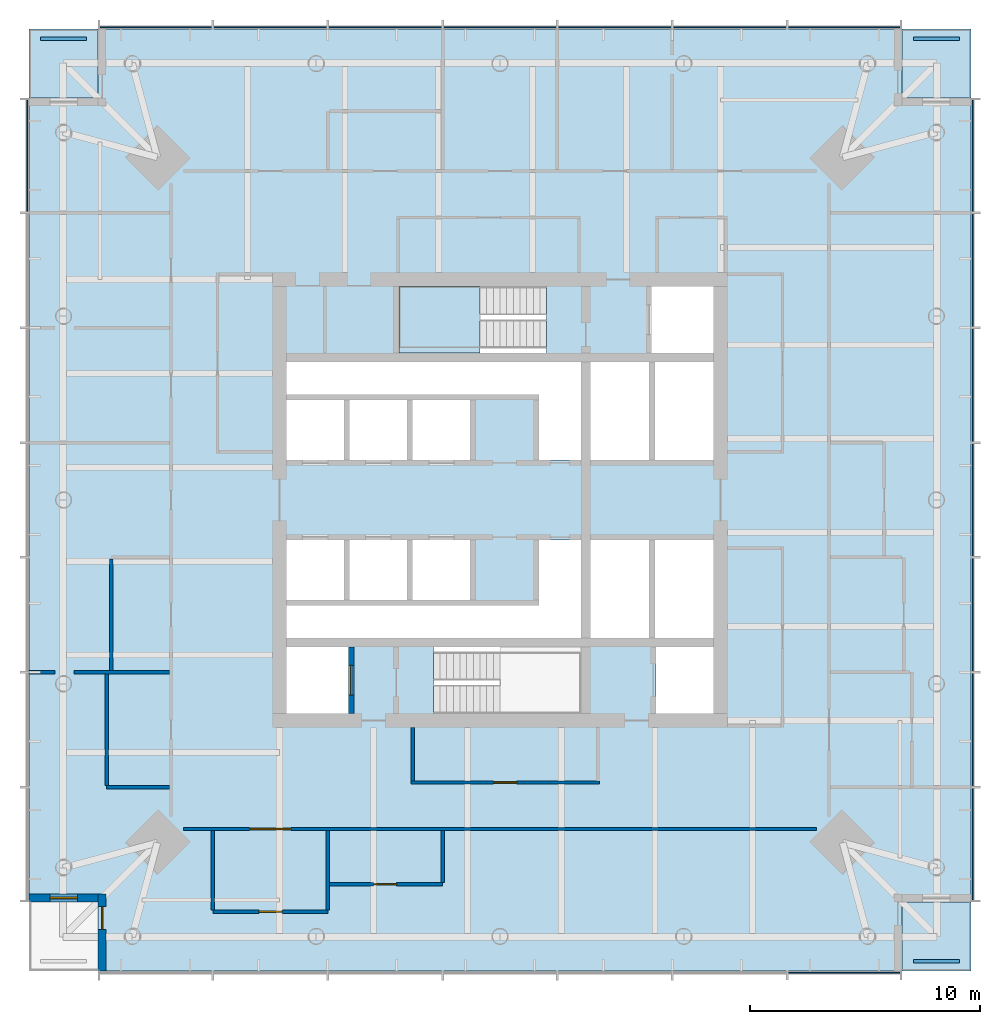
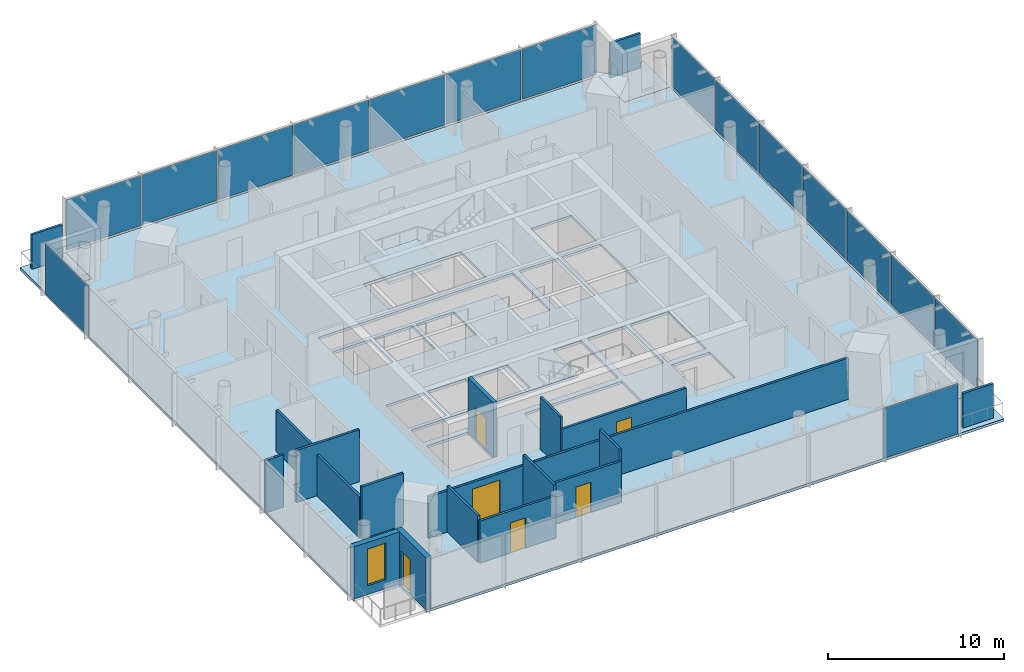
# One storey, part 4 of 9: 19 plates, 16 walls, 6 doors, 5 slabs, 1 window, 7 openings, 5 elements without a shape of their own.
"""IFC4 building model written with IfcOpenShell, lengths in metres."""

from ifc_helpers import new_model, si_unit, direction, frame, frame_2d, origin, origin_2d, place, context, subcontext, project, spatial, polyline, rectangle, outline, extrude, material, layer, layer_set, type_object, element, fill, aggregate, save


model = new_model("IFC4")

# Units and contexts
model_context = context("Model", 3, precision=1e-05, world=origin(), true_north=direction((0.0, 1.0)))
body_context = subcontext(model_context, "Body", "Model", "MODEL_VIEW")
ifc_project = project(units=[si_unit("LENGTHUNIT", "METRE"), si_unit("AREAUNIT", "SQUARE_METRE"), si_unit("VOLUMEUNIT", "CUBIC_METRE"), si_unit("PLANEANGLEUNIT", "RADIAN"), si_unit("MASSUNIT", "GRAM", prefix="KILO")], contexts=[model_context])

# Site, building, storey
site_placement = place(None, origin())
site = spatial("IfcSite", under=ifc_project, at=site_placement, CompositionType="ELEMENT")
building_placement = place(site_placement, origin())
building = spatial("IfcBuilding", under=site, at=building_placement, Name="Ostroluk Exchange", CompositionType="ELEMENT")
storey_placement = place(building_placement, frame((0.0, 0.0, 176.800048828125)))
storey = spatial("IfcBuildingStorey", under=building, at=storey_placement, Name="L45", CompositionType="ELEMENT", Elevation=176.800048828125)

# Slabs
ifc_material_1 = material(Name="Concrete C35/45", Category="concrete")
ifc_layer_1 = layer(ifc_material_1, 0.179931640625)
ifc_layer_set_1 = layer_set([ifc_layer_1], Name="Balcony slab 180")
slab_type_1 = type_object("IfcSlabType", Name="Balcony slab 180", PredefinedType="USERDEFINED", material=ifc_layer_set_1)
slab_1_placement = place(storey_placement, frame((0.0, 0.0, -0.179931640625)))
element("IfcSlab", 1, at=slab_1_placement, inside=storey, type_object=slab_type_1, Name="Office tower SE corner balcony L45", ObjectType="BALCONY", PredefinedType="USERDEFINED", context=body_context, shape_type="SweptSolid", body=[
    extrude(outline(polyline([(62.5, 25.5), (65.5, 25.5), (65.5, 28.5), (62.5, 28.5), (62.5, 25.5)])), origin(), (0.0, 0.0, 1.0), 0.179931640625),
])
slab_2_placement = place(storey_placement, frame((0.0, 0.0, -0.179931640625)))
element("IfcSlab", 2, at=slab_2_placement, inside=storey, type_object=slab_type_1, Name="Office tower NE corner balcony L45", ObjectType="BALCONY", PredefinedType="USERDEFINED", context=body_context, shape_type="SweptSolid", body=[
    extrude(outline(polyline([(62.5, 63.5), (65.5, 63.5), (65.5, 66.5), (62.5, 66.5), (62.5, 63.5)])), origin(), (0.0, 0.0, 1.0), 0.179931640625),
])
slab_3_placement = place(storey_placement, frame((0.0, 0.0, -0.179931640625)))
element("IfcSlab", 3, at=slab_3_placement, inside=storey, type_object=slab_type_1, Name="Office tower NW corner balcony L45", ObjectType="BALCONY", PredefinedType="USERDEFINED", context=body_context, shape_type="SweptSolid", body=[
    extrude(outline(polyline([(24.5, 63.5), (27.5, 63.5), (27.5, 66.5), (24.5, 66.5), (24.5, 63.5)])), origin(), (0.0, 0.0, 1.0), 0.179931640625),
])

# Plates
ifc_material_2 = material(Name="Steel S355 trellis with planting", Category="steel")
ifc_layer_2 = layer(ifc_material_2, 0.14990234375)
ifc_layer_set_2 = layer_set([ifc_layer_2], Name="Planted screen 150")
plate_type_1 = type_object("IfcPlateType", Name="Planted screen 150", PredefinedType="USERDEFINED", material=ifc_layer_set_2)
for number, where, z_axis, x_axis, name in (
    (4, (64.0, 25.925048828125, 0.0), (0.0, 0.0, 1.0), (1.0, 0.0, 0.0), "Office tower SE planted screen L45"),
    (5, (64.0, 66.074951171875, 0.0), (0.0, 0.0, 1.0), (1.0, 0.0, 0.0), "Office tower NE planted screen L45"),
    (6, (26.0, 66.074951171875, 0.0), (0.0, 0.0, 1.0), (1.0, 0.0, 0.0), "Office tower NW planted screen L45"),
):
    element("IfcPlate", number, at=place(storey_placement, frame(where, z_axis=z_axis, x_axis=x_axis)), inside=storey, type_object=plate_type_1, Name=name, ObjectType="PLANTED SCREEN", PredefinedType="USERDEFINED", context=body_context, shape_type="SweptSolid", body=[
        extrude(rectangle(XDim=2.0, YDim=0.14990234375, at=origin_2d()), origin(), (0.0, 0.0, 1.0), 2.39990234375),
    ])

# Stair, slab
ifc_material_3 = material(Name="Concrete C30/37", Category="concrete")
stair_type = type_object("IfcStairType", Name="Exit stair half turn 3800", PredefinedType="HALF_TURN_STAIR", material=ifc_material_3)
stair_placement = place(storey_placement, origin())
stair = element("IfcStair", 7, at=stair_placement, inside=storey, type_object=stair_type, Name="Stair T1-S2 L45", PredefinedType="HALF_TURN_STAIR")
ifc_material_4 = material(Name="Concrete C30/37", Category="concrete")
ifc_layer_3 = layer(ifc_material_4, 0.199951171875)
ifc_layer_set_3 = layer_set([ifc_layer_3], Name="Stair landing 200")
slab_type_2 = type_object("IfcSlabType", Name="Stair landing 200", PredefinedType="LANDING", material=ifc_layer_set_3)
slab_4_placement = place(storey_placement, frame((0.0, 0.0, 1.699951171875)))
slab_4 = element("IfcSlab", 8, at=slab_4_placement, type_object=slab_type_2, Name="T1-S2 landing 1", PredefinedType="LANDING", context=body_context, shape_type="SweptSolid", body=[
    extrude(outline(polyline([(44.1298828125, 52.39990234375), (44.1298828125, 55.300048828125), (40.60009765625, 55.300048828125), (40.60009765625, 52.39990234375), (44.1298828125, 52.39990234375)])), origin(), (0.0, 0.0, 1.0), 0.199951171875),
])
aggregate(stair, [slab_4])

# Slab
ifc_material_5 = material(Name="Concrete C35/45", Category="concrete")
ifc_layer_4 = layer(ifc_material_5, 0.179931640625)
ifc_layer_set_4 = layer_set([ifc_layer_4], Name="Tower floor slab 180 composite")
slab_type_3 = type_object("IfcSlabType", Name="Tower floor slab 180 composite", PredefinedType="FLOOR", material=ifc_layer_set_4)
slab_5_placement = place(storey_placement, frame((0.0, 0.0, -0.179931640625)))
element("IfcSlab", 9, at=slab_5_placement, inside=storey, type_object=slab_type_3, Name="Office tower floor slab L45", PredefinedType="FLOOR", context=body_context, shape_type="SweptSolid", body=[
    extrude(outline(polyline([(27.5, 25.5), (62.5, 25.5), (62.5, 28.5), (65.5, 28.5), (65.5, 63.5), (62.5, 63.5), (62.5, 66.5), (27.5, 66.5), (27.5, 63.5), (24.5, 63.5), (24.5, 28.5), (27.5, 28.5), (27.5, 25.5)]), holes=[polyline([(35.699951171875, 36.699951171875), (38.39990234375, 36.699951171875), (38.39990234375, 39.60009765625), (35.699951171875, 39.60009765625), (35.699951171875, 36.699951171875)]), polyline([(42.110107421875, 36.699951171875), (48.530029296875, 36.699951171875), (48.530029296875, 39.60009765625), (42.110107421875, 39.60009765625), (42.110107421875, 36.699951171875)]), polyline([(51.800048828125, 36.699951171875), (54.300048828125, 36.699951171875), (54.300048828125, 39.60009765625), (51.800048828125, 39.60009765625), (51.800048828125, 36.699951171875)]), polyline([(40.60009765625, 52.39990234375), (47.02001953125, 52.39990234375), (47.02001953125, 55.300048828125), (40.60009765625, 55.300048828125), (40.60009765625, 52.39990234375)]), polyline([(51.60009765625, 52.39990234375), (54.300048828125, 52.39990234375), (54.300048828125, 55.300048828125), (51.60009765625, 55.300048828125), (51.60009765625, 52.39990234375)]), polyline([(35.699951171875, 47.75), (38.199951171875, 47.75), (38.199951171875, 50.35009765625), (35.699951171875, 50.35009765625), (35.699951171875, 47.75)]), polyline([(38.449951171875, 47.75), (40.949951171875, 47.75), (40.949951171875, 50.35009765625), (38.449951171875, 50.35009765625), (38.449951171875, 47.75)]), polyline([(41.199951171875, 47.75), (43.699951171875, 47.75), (43.699951171875, 50.35009765625), (41.199951171875, 50.35009765625), (41.199951171875, 47.75)]), polyline([(35.699951171875, 41.64990234375), (38.199951171875, 41.64990234375), (38.199951171875, 44.25), (35.699951171875, 44.25), (35.699951171875, 41.64990234375)]), polyline([(38.449951171875, 41.64990234375), (40.949951171875, 41.64990234375), (40.949951171875, 44.25), (38.449951171875, 44.25), (38.449951171875, 41.64990234375)]), polyline([(41.199951171875, 41.64990234375), (43.699951171875, 41.64990234375), (43.699951171875, 44.25), (41.199951171875, 44.25), (41.199951171875, 41.64990234375)]), polyline([(48.929931640625, 47.75), (51.489990234375, 47.75), (51.489990234375, 52.0), (48.929931640625, 52.0), (48.929931640625, 47.75)]), polyline([(51.739990234375, 47.75), (54.300048828125, 47.75), (54.300048828125, 52.0), (51.739990234375, 52.0), (51.739990234375, 47.75)]), polyline([(48.929931640625, 40.0), (51.489990234375, 40.0), (51.489990234375, 44.25), (48.929931640625, 44.25), (48.929931640625, 40.0)]), polyline([(51.739990234375, 40.0), (54.300048828125, 40.0), (54.300048828125, 44.25), (51.739990234375, 44.25), (51.739990234375, 40.0)]), polyline([(48.530029296875, 52.0), (48.530029296875, 47.75), (46.699951171875, 47.75), (46.699951171875, 50.60009765625), (35.699951171875, 50.60009765625), (35.699951171875, 52.0), (48.530029296875, 52.0)]), polyline([(35.699951171875, 40.0), (35.699951171875, 41.39990234375), (46.699951171875, 41.39990234375), (46.699951171875, 44.25), (48.530029296875, 44.25), (48.530029296875, 40.0), (35.699951171875, 40.0)])]), origin(), (0.0, 0.0, 1.0), 0.179931640625),
])

# Curtain wall, plate
ifc_material_6 = material(Name="Laminated clear glass", Category="glass")
curtain_wall_type = type_object("IfcCurtainWallType", Name="Office tower facade", PredefinedType="USERDEFINED", material=ifc_material_6)
curtain_wall_1_placement = place(storey_placement, origin())
curtain_wall_1 = element("IfcCurtainWall", 10, at=curtain_wall_1_placement, inside=storey, type_object=curtain_wall_type, Name="Office tower south facade L45", ObjectType="UNITISED CURTAIN WALL", PredefinedType="USERDEFINED")
ifc_material_7 = material(Name="Laminated clear glass", Category="glass")
ifc_layer_5 = layer(ifc_material_7, 0.0439453125)
ifc_layer_set_5 = layer_set([ifc_layer_5], Name="Triple laminated clear glazing 44")
plate_type_2 = type_object("IfcPlateType", Name="Triple laminated clear glazing 44", PredefinedType="CURTAIN_PANEL", material=ifc_layer_set_5)
plate_1_placement = place(storey_placement, frame((59.97998046875, 25.425048828125, 0.080078125), z_axis=(0.0, 0.0, 1.0), x_axis=(1.0, 0.0, 0.0)))
plate_1 = element("IfcPlate", 11, at=plate_1_placement, type_object=plate_type_2, Name="CW-O1 panel 7.1", PredefinedType="CURTAIN_PANEL", context=body_context, shape_type="SweptSolid", body=[
    extrude(rectangle(XDim=4.8798828125, YDim=0.0439453125, at=origin_2d()), origin(), (0.0, 0.0, 1.0), 3.489990234375),
])
aggregate(curtain_wall_1, [plate_1])

# Curtain wall, plates
curtain_wall_2_placement = place(storey_placement, origin())
curtain_wall_2 = element("IfcCurtainWall", 12, at=curtain_wall_2_placement, inside=storey, type_object=curtain_wall_type, Name="Office tower east facade L45", ObjectType="UNITISED CURTAIN WALL", PredefinedType="USERDEFINED")
plate_2_placement = place(storey_placement, frame((65.574951171875, 31.02001953125, 0.080078125), z_axis=(0.0, 0.0, 1.0), x_axis=(0.0, 1.0, 0.0)))
plate_2 = element("IfcPlate", 13, at=plate_2_placement, type_object=plate_type_2, Name="CW-O1 panel 1.1", PredefinedType="CURTAIN_PANEL", context=body_context, shape_type="SweptSolid", body=[
    extrude(rectangle(XDim=4.8798828125, YDim=0.0439453125, at=origin_2d()), origin(), (0.0, 0.0, 1.0), 3.489990234375),
])
plate_3_placement = place(storey_placement, frame((65.574951171875, 36.0, 0.080078125), z_axis=(0.0, 0.0, 1.0), x_axis=(0.0, 1.0, 0.0)))
plate_3 = element("IfcPlate", 14, at=plate_3_placement, type_object=plate_type_2, Name="CW-O1 panel 2.1", PredefinedType="CURTAIN_PANEL", context=body_context, shape_type="SweptSolid", body=[
    extrude(rectangle(XDim=4.919921875, YDim=0.0439453125, at=origin_2d()), origin(), (0.0, 0.0, 1.0), 3.489990234375),
])
plate_4_placement = place(storey_placement, frame((65.574951171875, 41.0, 0.080078125), z_axis=(0.0, 0.0, 1.0), x_axis=(0.0, 1.0, 0.0)))
plate_4 = element("IfcPlate", 15, at=plate_4_placement, type_object=plate_type_2, Name="CW-O1 panel 3.1", PredefinedType="CURTAIN_PANEL", context=body_context, shape_type="SweptSolid", body=[
    extrude(rectangle(XDim=4.919921875, YDim=0.0439453125, at=origin_2d()), origin(), (0.0, 0.0, 1.0), 3.489990234375),
])
plate_5_placement = place(storey_placement, frame((65.574951171875, 46.0, 0.080078125), z_axis=(0.0, 0.0, 1.0), x_axis=(0.0, 1.0, 0.0)))
plate_5 = element("IfcPlate", 16, at=plate_5_placement, type_object=plate_type_2, Name="CW-O1 panel 4.1", PredefinedType="CURTAIN_PANEL", context=body_context, shape_type="SweptSolid", body=[
    extrude(rectangle(XDim=4.919921875, YDim=0.0439453125, at=origin_2d()), origin(), (0.0, 0.0, 1.0), 3.489990234375),
])
plate_6_placement = place(storey_placement, frame((65.574951171875, 51.0, 0.080078125), z_axis=(0.0, 0.0, 1.0), x_axis=(0.0, 1.0, 0.0)))
plate_6 = element("IfcPlate", 17, at=plate_6_placement, type_object=plate_type_2, Name="CW-O1 panel 5.1", PredefinedType="CURTAIN_PANEL", context=body_context, shape_type="SweptSolid", body=[
    extrude(rectangle(XDim=4.919921875, YDim=0.0439453125, at=origin_2d()), origin(), (0.0, 0.0, 1.0), 3.489990234375),
])
plate_7_placement = place(storey_placement, frame((65.574951171875, 56.0, 0.080078125), z_axis=(0.0, 0.0, 1.0), x_axis=(0.0, 1.0, 0.0)))
plate_7 = element("IfcPlate", 18, at=plate_7_placement, type_object=plate_type_2, Name="CW-O1 panel 6.1", PredefinedType="CURTAIN_PANEL", context=body_context, shape_type="SweptSolid", body=[
    extrude(rectangle(XDim=4.919921875, YDim=0.0439453125, at=origin_2d()), origin(), (0.0, 0.0, 1.0), 3.489990234375),
])
plate_8_placement = place(storey_placement, frame((65.574951171875, 60.97998046875, 0.080078125), z_axis=(0.0, 0.0, 1.0), x_axis=(0.0, 1.0, 0.0)))
plate_8 = element("IfcPlate", 19, at=plate_8_placement, type_object=plate_type_2, Name="CW-O1 panel 7.1", PredefinedType="CURTAIN_PANEL", context=body_context, shape_type="SweptSolid", body=[
    extrude(rectangle(XDim=4.8798828125, YDim=0.0439453125, at=origin_2d()), origin(), (0.0, 0.0, 1.0), 3.489990234375),
])
aggregate(curtain_wall_2, [plate_2, plate_3, plate_4, plate_5, plate_6, plate_7, plate_8])

curtain_wall_3_placement = place(storey_placement, origin())
curtain_wall_3 = element("IfcCurtainWall", 20, at=curtain_wall_3_placement, inside=storey, type_object=curtain_wall_type, Name="Office tower north facade L45", ObjectType="UNITISED CURTAIN WALL", PredefinedType="USERDEFINED")
plate_9_placement = place(storey_placement, frame((59.97998046875, 66.574951171875, 0.080078125), z_axis=(0.0, 0.0, 1.0), x_axis=(-1.0, 0.0, 0.0)))
plate_9 = element("IfcPlate", 21, at=plate_9_placement, type_object=plate_type_2, Name="CW-O1 panel 1.1", PredefinedType="CURTAIN_PANEL", context=body_context, shape_type="SweptSolid", body=[
    extrude(rectangle(XDim=4.8798828125, YDim=0.0439453125, at=origin_2d()), origin(), (0.0, 0.0, 1.0), 3.489990234375),
])
plate_10_placement = place(storey_placement, frame((55.0, 66.574951171875, 0.080078125), z_axis=(0.0, 0.0, 1.0), x_axis=(-1.0, 0.0, 0.0)))
plate_10 = element("IfcPlate", 22, at=plate_10_placement, type_object=plate_type_2, Name="CW-O1 panel 2.1", PredefinedType="CURTAIN_PANEL", context=body_context, shape_type="SweptSolid", body=[
    extrude(rectangle(XDim=4.919921875, YDim=0.0439453125, at=origin_2d()), origin(), (0.0, 0.0, 1.0), 3.489990234375),
])
plate_11_placement = place(storey_placement, frame((50.0, 66.574951171875, 0.080078125), z_axis=(0.0, 0.0, 1.0), x_axis=(-1.0, 0.0, 0.0)))
plate_11 = element("IfcPlate", 23, at=plate_11_placement, type_object=plate_type_2, Name="CW-O1 panel 3.1", PredefinedType="CURTAIN_PANEL", context=body_context, shape_type="SweptSolid", body=[
    extrude(rectangle(XDim=4.919921875, YDim=0.0439453125, at=origin_2d()), origin(), (0.0, 0.0, 1.0), 3.489990234375),
])
plate_12_placement = place(storey_placement, frame((45.0, 66.574951171875, 0.080078125), z_axis=(0.0, 0.0, 1.0), x_axis=(-1.0, 0.0, 0.0)))
plate_12 = element("IfcPlate", 24, at=plate_12_placement, type_object=plate_type_2, Name="CW-O1 panel 4.1", PredefinedType="CURTAIN_PANEL", context=body_context, shape_type="SweptSolid", body=[
    extrude(rectangle(XDim=4.919921875, YDim=0.0439453125, at=origin_2d()), origin(), (0.0, 0.0, 1.0), 3.489990234375),
])
plate_13_placement = place(storey_placement, frame((40.0, 66.574951171875, 0.080078125), z_axis=(0.0, 0.0, 1.0), x_axis=(-1.0, 0.0, 0.0)))
plate_13 = element("IfcPlate", 25, at=plate_13_placement, type_object=plate_type_2, Name="CW-O1 panel 5.1", PredefinedType="CURTAIN_PANEL", context=body_context, shape_type="SweptSolid", body=[
    extrude(rectangle(XDim=4.919921875, YDim=0.0439453125, at=origin_2d()), origin(), (0.0, 0.0, 1.0), 3.489990234375),
])
plate_14_placement = place(storey_placement, frame((35.0, 66.574951171875, 0.080078125), z_axis=(0.0, 0.0, 1.0), x_axis=(-1.0, 0.0, 0.0)))
plate_14 = element("IfcPlate", 26, at=plate_14_placement, type_object=plate_type_2, Name="CW-O1 panel 6.1", PredefinedType="CURTAIN_PANEL", context=body_context, shape_type="SweptSolid", body=[
    extrude(rectangle(XDim=4.919921875, YDim=0.0439453125, at=origin_2d()), origin(), (0.0, 0.0, 1.0), 3.489990234375),
])
plate_15_placement = place(storey_placement, frame((30.02001953125, 66.574951171875, 0.080078125), z_axis=(0.0, 0.0, 1.0), x_axis=(-1.0, 0.0, 0.0)))
plate_15 = element("IfcPlate", 27, at=plate_15_placement, type_object=plate_type_2, Name="CW-O1 panel 7.1", PredefinedType="CURTAIN_PANEL", context=body_context, shape_type="SweptSolid", body=[
    extrude(rectangle(XDim=4.8798828125, YDim=0.0439453125, at=origin_2d()), origin(), (0.0, 0.0, 1.0), 3.489990234375),
])
aggregate(curtain_wall_3, [plate_9, plate_10, plate_11, plate_12, plate_13, plate_14, plate_15])

# Curtain wall, plate
curtain_wall_4_placement = place(storey_placement, origin())
curtain_wall_4 = element("IfcCurtainWall", 28, at=curtain_wall_4_placement, inside=storey, type_object=curtain_wall_type, Name="Office tower west facade L45", ObjectType="UNITISED CURTAIN WALL", PredefinedType="USERDEFINED")
plate_16_placement = place(storey_placement, frame((24.425048828125, 60.97998046875, 0.080078125), z_axis=(0.0, 0.0, 1.0), x_axis=(0.0, -1.0, 0.0)))
plate_16 = element("IfcPlate", 29, at=plate_16_placement, type_object=plate_type_2, Name="CW-O1 panel 1.1", PredefinedType="CURTAIN_PANEL", context=body_context, shape_type="SweptSolid", body=[
    extrude(rectangle(XDim=4.8798828125, YDim=0.0439453125, at=origin_2d()), origin(), (0.0, 0.0, 1.0), 3.489990234375),
])
aggregate(curtain_wall_4, [plate_16])

# Wall, opening, door
ifc_material_8 = material(Name="Concrete C40/50", Category="concrete")
ifc_layer_6 = layer(ifc_material_8, 0.25)
ifc_layer_set_6 = layer_set([ifc_layer_6], Name="Core shaft wall 250")
wall_type_1 = type_object("IfcWallType", Name="Core shaft wall 250", PredefinedType="SHEAR", material=ifc_layer_set_6)
wall_1_placement = place(storey_placement, frame((38.52490234375, 36.699951171875, 0.0), z_axis=(0.0, 0.0, 1.0), x_axis=(0.0, 1.0, 0.0)))
wall_1 = element("IfcWall", 30, at=wall_1_placement, inside=storey, type_object=wall_type_1, Name="Firefighting lift shaft wall", PredefinedType="SHEAR", context=body_context, shape_type="SweptSolid", body=[
    extrude(rectangle(XDim=2.900146484375, YDim=0.25, at=frame_2d((1.4501953125, 0.0))), origin(), (0.0, 0.0, 1.0), 3.800048828125),
])
opening_1_placement = place(wall_1_placement, frame((0.800048828125, 0.0, 0.0)))
opening_1 = element("IfcOpeningElement", 31, at=opening_1_placement, cuts=wall_1, Name="Opening LD2", PredefinedType="OPENING", context=body_context, shape_type="SweptSolid", body=[
    extrude(rectangle(XDim=1.300048828125, YDim=2.199951171875, at=frame_2d((0.64990234375, 1.10009765625))), frame((0.0, 0.135009765625, 0.0), z_axis=(0.0, -1.0, 0.0), x_axis=(1.0, 0.0, 0.0)), (0.0, 0.0, 1.0), 0.27001953125),
])
ifc_material_9 = material(Name="Stainless steel", Category="steel")
door_type_1 = type_object("IfcDoorType", Name="Lift landing door E 60 1300 x 2200", OperationType="DOUBLE_DOOR_SLIDING", PredefinedType="DOOR", material=ifc_material_9)
door_1_placement = place(opening_1_placement, origin())
door_1 = element("IfcDoor", 32, at=door_1_placement, inside=storey, type_object=door_type_1, Name="Lift FL1 landing door", OperationType="DOUBLE_DOOR_SLIDING", OverallHeight=2.199951171875, OverallWidth=1.300048828125, PredefinedType="DOOR", context=body_context, shape_type="SweptSolid", body=[
    extrude(rectangle(XDim=1.300048828125, YDim=2.199951171875, at=frame_2d((0.64990234375, 1.10009765625))), frame((0.0, 0.02490234375, 0.0), z_axis=(0.0, -1.0, 0.0), x_axis=(1.0, 0.0, 0.0)), (0.0, 0.0, 1.0), 0.050048828125),
])
fill(opening_1, door_1)

ifc_material_10 = material(Name="Limestone", Category="masonry")
ifc_layer_7 = layer(ifc_material_10, 0.35009765625)
ifc_layer_set_7 = layer_set([ifc_layer_7], Name="Limestone facade wall 350")
wall_type_2 = type_object("IfcWallType", Name="Limestone facade wall 350", PredefinedType="SOLIDWALL", material=ifc_layer_set_7)
wall_2_placement = place(storey_placement, frame((27.675048828125, 25.5, 0.0), z_axis=(0.0, 0.0, 1.0), x_axis=(0.0, 1.0, 0.0)))
wall_2 = element("IfcWall", 33, at=wall_2_placement, inside=storey, type_object=wall_type_2, Name="Office tower SW corner wall L45 a", PredefinedType="SOLIDWALL", context=body_context, shape_type="SweptSolid", body=[
    extrude(rectangle(XDim=3.35009765625, YDim=0.35009765625, at=frame_2d((1.675048828125, 0.0))), origin(), (0.0, 0.0, 1.0), 3.619873046875),
])
opening_2_placement = place(wall_2_placement, frame((1.800048828125, 0.0, 0.0)))
opening_2 = element("IfcOpeningElement", 34, at=opening_2_placement, cuts=wall_2, Name="Opening D-B1", PredefinedType="OPENING", context=body_context, shape_type="SweptSolid", body=[
    extrude(rectangle(XDim=1.0, YDim=2.39990234375, at=frame_2d((0.5, 1.199951171875))), frame((0.0, 0.18505859375, 0.0), z_axis=(0.0, -1.0, 0.0), x_axis=(1.0, 0.0, 0.0)), (0.0, 0.0, 1.0), 0.3701171875),
])
ifc_material_11 = material(Name="Bronze framed glazed door", Category="aluminium")
door_type_2 = type_object("IfcDoorType", Name="Balcony door 1000 x 2400", OperationType="SINGLE_SWING_LEFT", PredefinedType="DOOR", material=ifc_material_11)
door_2_placement = place(opening_2_placement, origin())
door_2 = element("IfcDoor", 35, at=door_2_placement, inside=storey, type_object=door_type_2, Name="Office tower SW balcony door L45", OperationType="SINGLE_SWING_RIGHT", OverallHeight=2.39990234375, OverallWidth=1.0, PredefinedType="DOOR", context=body_context, shape_type="SweptSolid", body=[
    extrude(rectangle(XDim=1.0, YDim=2.39990234375, at=frame_2d((0.5, 1.199951171875))), frame((0.0, 0.02490234375, 0.0), z_axis=(0.0, -1.0, 0.0), x_axis=(1.0, 0.0, 0.0)), (0.0, 0.0, 1.0), 0.050048828125),
])
fill(opening_2, door_2)

# Wall, opening, window
wall_3_placement = place(storey_placement, frame((27.5, 28.675048828125, 0.0), z_axis=(0.0, 0.0, 1.0), x_axis=(-1.0, 0.0, 0.0)))
wall_3 = element("IfcWall", 36, at=wall_3_placement, inside=storey, type_object=wall_type_2, Name="Office tower SW corner wall L45 b", PredefinedType="SOLIDWALL", context=body_context, shape_type="SweptSolid", body=[
    extrude(rectangle(XDim=3.0, YDim=0.35009765625, at=frame_2d((1.5, 0.0))), origin(), (0.0, 0.0, 1.0), 3.619873046875),
])
opening_3_placement = place(wall_3_placement, frame((0.89990234375, 0.0, 0.60009765625)))
opening_3 = element("IfcOpeningElement", 37, at=opening_3_placement, cuts=wall_3, Name="Opening WN-L1", PredefinedType="OPENING", context=body_context, shape_type="SweptSolid", body=[
    extrude(rectangle(XDim=1.199951171875, YDim=2.550048828125, at=frame_2d((0.60009765625, 1.27490234375))), frame((0.0, 0.18505859375, 0.0), z_axis=(0.0, -1.0, 0.0), x_axis=(1.0, 0.0, 0.0)), (0.0, 0.0, 1.0), 0.3701171875),
])
ifc_material_12 = material(Name="Laminated clear glass", Category="glass")
window_type = type_object("IfcWindowType", Name="Lancet window 1200 x 2550", PartitioningType="SINGLE_PANEL", PredefinedType="WINDOW", material=ifc_material_12)
window_placement = place(opening_3_placement, origin())
window = element("IfcWindow", 38, at=window_placement, inside=storey, type_object=window_type, Name="Office tower SW lancet window L45", OverallHeight=2.550048828125, OverallWidth=1.199951171875, PartitioningType="SINGLE_PANEL", PredefinedType="WINDOW", context=body_context, shape_type="SweptSolid", body=[
    extrude(rectangle(XDim=1.199951171875, YDim=2.550048828125, at=frame_2d((0.60009765625, 1.27490234375))), frame((0.0, 0.030029296875, 0.0), z_axis=(0.0, -1.0, 0.0), x_axis=(1.0, 0.0, 0.0)), (0.0, 0.0, 1.0), 0.06005859375),
])
fill(opening_3, window)

# Wall, opening, door
ifc_material_13 = material(Name="Gypsum plasterboard partition", Category="gypsum")
ifc_layer_8 = layer(ifc_material_13, 0.14990234375)
ifc_layer_set_8 = layer_set([ifc_layer_8], Name="Plasterboard partition 150")
wall_type_3 = type_object("IfcWallType", Name="Plasterboard partition 150", PredefinedType="PARTITIONING", material=ifc_layer_set_8)
wall_4_placement = place(storey_placement, frame((41.125, 33.699951171875, 0.0), z_axis=(0.0, 0.0, 1.0), x_axis=(1.0, 0.0, 0.0)))
wall_4 = element("IfcWall", 39, at=wall_4_placement, inside=storey, type_object=wall_type_3, Name="Partition", PredefinedType="PARTITIONING", context=body_context, shape_type="SweptSolid", body=[
    extrude(rectangle(XDim=8.199951171875, YDim=0.14990234375, at=frame_2d((4.10009765625, 0.0))), origin(), (0.0, 0.0, 1.0), 2.866943359375),
])
opening_4_placement = place(wall_4_placement, frame((3.60009765625, 0.0, 0.0)))
opening_4 = element("IfcOpeningElement", 40, at=opening_4_placement, cuts=wall_4, Name="Opening D-03", PredefinedType="OPENING", context=body_context, shape_type="SweptSolid", body=[
    extrude(rectangle(XDim=1.0, YDim=2.10009765625, at=frame_2d((0.5, 1.050048828125))), frame((0.0, 0.0849609375, 0.0), z_axis=(0.0, -1.0, 0.0), x_axis=(1.0, 0.0, 0.0)), (0.0, 0.0, 1.0), 0.169921875),
])
ifc_material_14 = material(Name="Timber", Category="wood")
door_type_3 = type_object("IfcDoorType", Name="Internal door 1000 x 2100", OperationType="SINGLE_SWING_LEFT", PredefinedType="DOOR", material=ifc_material_14)
door_3_placement = place(opening_4_placement, origin())
door_3 = element("IfcDoor", 41, at=door_3_placement, inside=storey, type_object=door_type_3, Name="Meeting room door", OperationType="SINGLE_SWING_LEFT", OverallHeight=2.10009765625, OverallWidth=1.0, PredefinedType="DOOR", context=body_context, shape_type="SweptSolid", body=[
    extrude(rectangle(XDim=1.0, YDim=2.10009765625, at=frame_2d((0.5, 1.050048828125))), frame((0.0, 0.02490234375, 0.0), z_axis=(0.0, -1.0, 0.0), x_axis=(1.0, 0.0, 0.0)), (0.0, 0.0, 1.0), 0.050048828125),
])
fill(opening_4, door_3)

# Walls
wall_5_placement = place(storey_placement, frame((41.199951171875, 36.10009765625, 0.0), z_axis=(0.0, 0.0, 1.0), x_axis=(0.0, -1.0, 0.0)))
element("IfcWall", 42, at=wall_5_placement, inside=storey, type_object=wall_type_3, Name="Partition", PredefinedType="PARTITIONING", context=body_context, shape_type="SweptSolid", body=[
    extrude(rectangle(XDim=2.3251953125, YDim=0.14990234375, at=frame_2d((1.16259765625, 0.0))), origin(), (0.0, 0.0, 1.0), 3.619873046875),
])
wall_6_placement = place(storey_placement, frame((30.60009765625, 38.5, 0.0), z_axis=(0.0, 0.0, 1.0), x_axis=(-1.0, 0.0, 0.0)))
element("IfcWall", 43, at=wall_6_placement, inside=storey, type_object=wall_type_3, Name="Partition", PredefinedType="PARTITIONING", context=body_context, shape_type="SweptSolid", body=[
    extrude(rectangle(XDim=4.14453125, YDim=0.14990234375, at=frame_2d((2.072265625, 0.0))), origin(), (0.0, 0.0, 1.0), 3.619873046875),
])
wall_7_placement = place(storey_placement, frame((25.623046875, 38.5, 0.0), z_axis=(0.0, 0.0, 1.0), x_axis=(-1.0, 0.0, 0.0)))
element("IfcWall", 44, at=wall_7_placement, inside=storey, type_object=wall_type_3, Name="Partition", PredefinedType="PARTITIONING", context=body_context, shape_type="SweptSolid", body=[
    extrude(rectangle(XDim=1.1630859375, YDim=0.14990234375, at=frame_2d((0.58154296875, 0.0))), origin(), (0.0, 0.0, 1.0), 3.619873046875),
])
wall_8_placement = place(storey_placement, frame((30.60009765625, 33.5, 0.0), z_axis=(0.0, 0.0, 1.0), x_axis=(-1.0, 0.0, 0.0)))
element("IfcWall", 45, at=wall_8_placement, inside=storey, type_object=wall_type_3, Name="Partition", PredefinedType="PARTITIONING", context=body_context, shape_type="SweptSolid", body=[
    extrude(rectangle(XDim=2.72509765625, YDim=0.14990234375, at=frame_2d((1.362548828125, 0.0))), origin(), (0.0, 0.0, 1.0), 3.619873046875),
])

# Wall, opening, door
wall_9_placement = place(storey_placement, frame((31.214111328125, 31.675048828125, 0.0), z_axis=(0.0, 0.0, 1.0), x_axis=(1.0, 0.0, 0.0)))
wall_9 = element("IfcWall", 46, at=wall_9_placement, inside=storey, type_object=wall_type_3, Name="Partition", PredefinedType="PARTITIONING", context=body_context, shape_type="SweptSolid", body=[
    extrude(rectangle(XDim=27.57177734375, YDim=0.14990234375, at=frame_2d((13.785888671875, 0.0))), origin(), (0.0, 0.0, 1.0), 2.866943359375),
])
opening_5_placement = place(wall_9_placement, frame((2.8857421875, 0.0, 0.0)))
opening_5 = element("IfcOpeningElement", 47, at=opening_5_placement, cuts=wall_9, Name="Opening D-04", PredefinedType="OPENING", context=body_context, shape_type="SweptSolid", body=[
    extrude(rectangle(XDim=1.800048828125, YDim=2.39990234375, at=frame_2d((0.89990234375, 1.199951171875))), frame((0.0, 0.0849609375, 0.0), z_axis=(0.0, -1.0, 0.0), x_axis=(1.0, 0.0, 0.0)), (0.0, 0.0, 1.0), 0.169921875),
])
ifc_material_15 = material(Name="Timber", Category="wood")
door_type_4 = type_object("IfcDoorType", Name="Double door 1800 x 2400", OperationType="DOUBLE_DOOR_SINGLE_SWING", PredefinedType="DOOR", material=ifc_material_15)
door_4_placement = place(opening_5_placement, origin())
door_4 = element("IfcDoor", 48, at=door_4_placement, inside=storey, type_object=door_type_4, Name="Office reception door", OperationType="DOUBLE_DOOR_SINGLE_SWING", OverallHeight=2.39990234375, OverallWidth=1.800048828125, PredefinedType="DOOR", context=body_context, shape_type="SweptSolid", body=[
    extrude(rectangle(XDim=1.800048828125, YDim=2.39990234375, at=frame_2d((0.89990234375, 1.199951171875))), frame((0.0, 0.02490234375, 0.0), z_axis=(0.0, -1.0, 0.0), x_axis=(1.0, 0.0, 0.0)), (0.0, 0.0, 1.0), 0.050048828125),
])
fill(opening_5, door_4)

wall_10_placement = place(storey_placement, frame((32.5, 28.071533203125, 0.0), z_axis=(0.0, 0.0, 1.0), x_axis=(1.0, 0.0, 0.0)))
wall_10 = element("IfcWall", 49, at=wall_10_placement, inside=storey, type_object=wall_type_3, Name="Partition", PredefinedType="PARTITIONING", context=body_context, shape_type="SweptSolid", body=[
    extrude(rectangle(XDim=5.0, YDim=0.14990234375, at=frame_2d((2.5, 0.0))), origin(), (0.0, 0.0, 1.0), 2.919921875),
])
opening_6_placement = place(wall_10_placement, frame((2.0, 0.0, 0.0)))
opening_6 = element("IfcOpeningElement", 50, at=opening_6_placement, cuts=wall_10, Name="Opening D-03", PredefinedType="OPENING", context=body_context, shape_type="SweptSolid", body=[
    extrude(rectangle(XDim=1.0, YDim=2.10009765625, at=frame_2d((0.5, 1.050048828125))), frame((0.0, 0.0849609375, 0.0), z_axis=(0.0, -1.0, 0.0), x_axis=(1.0, 0.0, 0.0)), (0.0, 0.0, 1.0), 0.169921875),
])
door_5_placement = place(opening_6_placement, origin())
door_5 = element("IfcDoor", 51, at=door_5_placement, inside=storey, type_object=door_type_3, Name="Office reception door", OperationType="SINGLE_SWING_LEFT", OverallHeight=2.10009765625, OverallWidth=1.0, PredefinedType="DOOR", context=body_context, shape_type="SweptSolid", body=[
    extrude(rectangle(XDim=1.0, YDim=2.10009765625, at=frame_2d((0.5, 1.050048828125))), frame((0.0, 0.02490234375, 0.0), z_axis=(0.0, -1.0, 0.0), x_axis=(1.0, 0.0, 0.0)), (0.0, 0.0, 1.0), 0.050048828125),
])
fill(opening_6, door_5)

wall_11_placement = place(storey_placement, frame((37.5, 29.272705078125, 0.0), z_axis=(0.0, 0.0, 1.0), x_axis=(1.0, 0.0, 0.0)))
wall_11 = element("IfcWall", 52, at=wall_11_placement, inside=storey, type_object=wall_type_3, Name="Partition", PredefinedType="PARTITIONING", context=body_context, shape_type="SweptSolid", body=[
    extrude(rectangle(XDim=5.0, YDim=0.14990234375, at=frame_2d((2.5, 0.0))), origin(), (0.0, 0.0, 1.0), 2.866943359375),
])
opening_7_placement = place(wall_11_placement, frame((2.0, 0.0, 0.0)))
opening_7 = element("IfcOpeningElement", 53, at=opening_7_placement, cuts=wall_11, Name="Opening D-03", PredefinedType="OPENING", context=body_context, shape_type="SweptSolid", body=[
    extrude(rectangle(XDim=1.0, YDim=2.10009765625, at=frame_2d((0.5, 1.050048828125))), frame((0.0, 0.0849609375, 0.0), z_axis=(0.0, -1.0, 0.0), x_axis=(1.0, 0.0, 0.0)), (0.0, 0.0, 1.0), 0.169921875),
])
door_6_placement = place(opening_7_placement, origin())
door_6 = element("IfcDoor", 54, at=door_6_placement, inside=storey, type_object=door_type_3, Name="Pantry door", OperationType="SINGLE_SWING_LEFT", OverallHeight=2.10009765625, OverallWidth=1.0, PredefinedType="DOOR", context=body_context, shape_type="SweptSolid", body=[
    extrude(rectangle(XDim=1.0, YDim=2.10009765625, at=frame_2d((0.5, 1.050048828125))), frame((0.0, 0.02490234375, 0.0), z_axis=(0.0, -1.0, 0.0), x_axis=(1.0, 0.0, 0.0)), (0.0, 0.0, 1.0), 0.050048828125),
])
fill(opening_7, door_6)

# Walls
wall_12_placement = place(storey_placement, frame((32.5, 31.60009765625, 0.0), z_axis=(0.0, 0.0, 1.0), x_axis=(0.0, -1.0, 0.0)))
element("IfcWall", 55, at=wall_12_placement, inside=storey, type_object=wall_type_3, Name="Partition", PredefinedType="PARTITIONING", context=body_context, shape_type="SweptSolid", body=[
    extrude(rectangle(XDim=3.45361328125, YDim=0.14990234375, at=frame_2d((1.726806640625, 0.0))), origin(), (0.0, 0.0, 1.0), 3.219970703125),
])
wall_13_placement = place(storey_placement, frame((37.5, 31.60009765625, 0.0), z_axis=(0.0, 0.0, 1.0), x_axis=(0.0, -1.0, 0.0)))
element("IfcWall", 56, at=wall_13_placement, inside=storey, type_object=wall_type_3, Name="Partition", PredefinedType="PARTITIONING", context=body_context, shape_type="SweptSolid", body=[
    extrude(rectangle(XDim=3.45361328125, YDim=0.14990234375, at=frame_2d((1.726806640625, 0.0))), origin(), (0.0, 0.0, 1.0), 3.619873046875),
])
wall_14_placement = place(storey_placement, frame((42.5, 31.60009765625, 0.0), z_axis=(0.0, 0.0, 1.0), x_axis=(0.0, -1.0, 0.0)))
element("IfcWall", 57, at=wall_14_placement, inside=storey, type_object=wall_type_3, Name="Partition", PredefinedType="PARTITIONING", context=body_context, shape_type="SweptSolid", body=[
    extrude(rectangle(XDim=2.25244140625, YDim=0.14990234375, at=frame_2d((1.126220703125, 0.0))), origin(), (0.0, 0.0, 1.0), 3.619873046875),
])
ifc_material_16 = material(Name="Gypsum plasterboard partition, moisture resistant", Category="gypsum")
ifc_layer_9 = layer(ifc_material_16, 0.14990234375)
ifc_layer_set_9 = layer_set([ifc_layer_9], Name="Plasterboard toilet partition 150")
wall_type_4 = type_object("IfcWallType", Name="Plasterboard toilet partition 150", PredefinedType="PARTITIONING", material=ifc_layer_set_9)
for number, where, z_axis, x_axis, name in (
    (58, (28.074951171875, 43.425048828125, 0.0), (0.0, 0.0, 1.0), (0.0, -1.0, 0.0), "Toilet partition"),
    (59, (27.875, 38.425048828125, 0.0), (0.0, 0.0, 1.0), (0.0, -1.0, 0.0), "Toilet partition"),
):
    element("IfcWall", number, at=place(storey_placement, frame(where, z_axis=z_axis, x_axis=x_axis)), inside=storey, type_object=wall_type_4, Name=name, PredefinedType="PARTITIONING", context=body_context, shape_type="SweptSolid", body=[
        extrude(rectangle(XDim=4.85009765625, YDim=0.14990234375, at=frame_2d((2.425048828125, 0.0))), origin(), (0.0, 0.0, 1.0), 2.866943359375),
    ])

save(model, "model.ifc")
